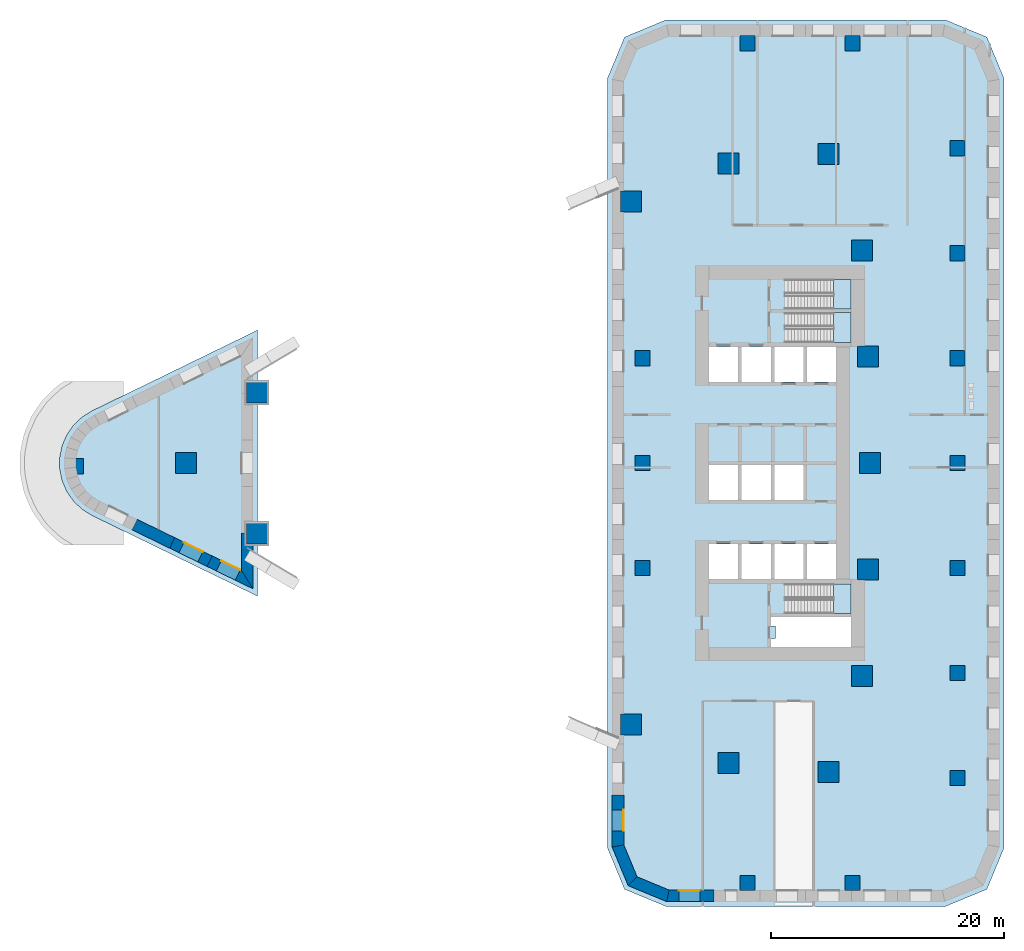
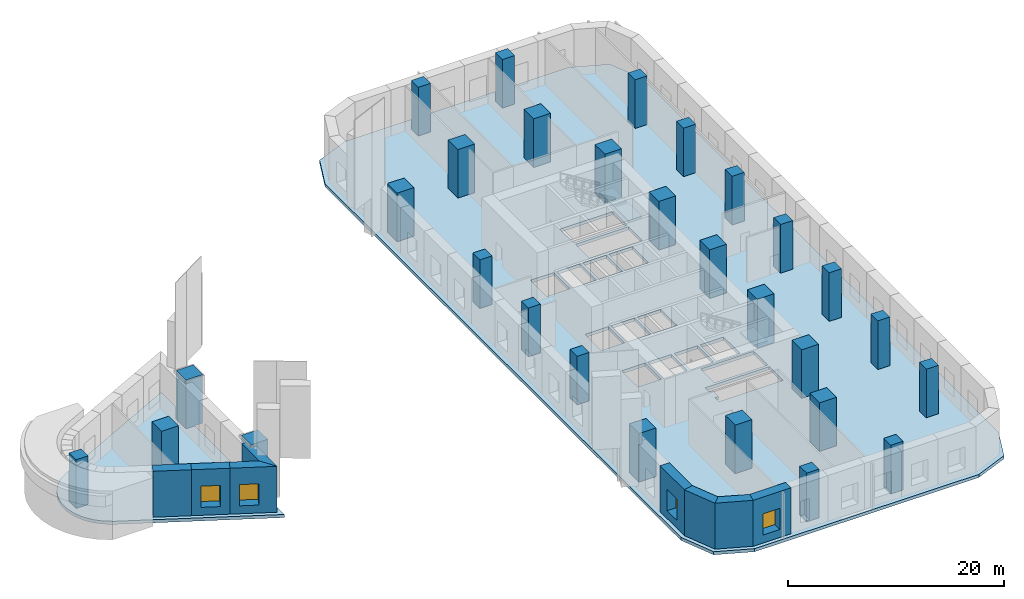
# One storey, part 1 of 13: 29 columns, 8 walls, 5 slabs, 4 windows, 5 openings, 3 elements without a shape of their own.
"""IFC4 building model written with IfcOpenShell, lengths in metres."""

from ifc_helpers import new_model, si_unit, direction, frame, frame_2d, origin, origin_2d, place, context, subcontext, project, spatial, polyline, rectangle, outline, extrude, material, layer, layer_set, material_profile, profile_set, type_object, element, fill, aggregate, save


model = new_model("IFC4")

# Units and contexts
model_context = context("Model", 3, precision=1e-05, world=origin(), true_north=direction((0.0, 1.0)))
body_context = subcontext(model_context, "Body", "Model", "MODEL_VIEW")
ifc_project = project(units=[si_unit("LENGTHUNIT", "METRE"), si_unit("AREAUNIT", "SQUARE_METRE"), si_unit("VOLUMEUNIT", "CUBIC_METRE"), si_unit("PLANEANGLEUNIT", "RADIAN"), si_unit("MASSUNIT", "GRAM", prefix="KILO")], contexts=[model_context])

# Site, building, storey
site_placement = place(None, origin())
site = spatial("IfcSite", under=ifc_project, at=site_placement, CompositionType="ELEMENT")
building_placement = place(site_placement, origin())
building = spatial("IfcBuilding", under=site, at=building_placement, Name="Ostrand Prow Hotel Tower", CompositionType="ELEMENT")
storey_placement = place(building_placement, frame((0.0, 0.0, 13.5)))
storey = spatial("IfcBuildingStorey", under=building, at=storey_placement, Name="L02", CompositionType="ELEMENT", Elevation=13.5)

# Columns
ifc_material_1 = material(Name="Concrete C60/75", Category="concrete")
ifc_material_profile_1 = material_profile(ifc_material_1, rectangle(XDim=1.300048828125, YDim=1.300048828125, at=origin_2d()), Name="RC 1300x1300")
ifc_profile_set_1 = profile_set([ifc_material_profile_1], Name="Concrete C60/75")
column_type_1 = type_object("IfcColumnType", Name="Interior column 1300x1300 C60/75", PredefinedType="COLUMN", material=ifc_profile_set_1)
for number, where, z_axis, x_axis, name in (
    (1, (-3.573974609375, -0.262939453125, 0.0), (0.0, 0.0, 1.0), (1.0, 0.0, 0.0), "Interior column W4S0"),
    (2, (45.0, -9.0, 0.0), (0.0, 0.0, 1.0), (1.0, 0.0, 0.0), "Interior column 45S9"),
    (3, (45.0, 0.0, 0.0), (0.0, 0.0, 1.0), (1.0, 0.0, 0.0), "Interior column 45C0"),
    (4, (45.0, 9.0, 0.0), (0.0, 0.0, 1.0), (1.0, 0.0, 0.0), "Interior column 45N9"),
    (5, (54.0, -36.0, 0.0), (0.0, 0.0, 1.0), (1.0, 0.0, 0.0), "Interior column 54S36"),
    (6, (54.0, 36.0, 0.0), (0.0, 0.0, 1.0), (1.0, 0.0, 0.0), "Interior column 54N36"),
    (7, (63.0, -36.0, 0.0), (0.0, 0.0, 1.0), (1.0, 0.0, 0.0), "Interior column 63S36"),
    (8, (63.0, 36.0, 0.0), (0.0, 0.0, 1.0), (1.0, 0.0, 0.0), "Interior column 63N36"),
    (9, (72.0, -27.0, 0.0), (0.0, 0.0, 1.0), (1.0, 0.0, 0.0), "Interior column 72S27"),
    (10, (72.0, -18.0, 0.0), (0.0, 0.0, 1.0), (1.0, 0.0, 0.0), "Interior column 72S18"),
    (11, (72.0, -9.0, 0.0), (0.0, 0.0, 1.0), (1.0, 0.0, 0.0), "Interior column 72S9"),
    (12, (72.0, 0.0, 0.0), (0.0, 0.0, 1.0), (1.0, 0.0, 0.0), "Interior column 72C0"),
    (13, (72.0, 9.0, 0.0), (0.0, 0.0, 1.0), (1.0, 0.0, 0.0), "Interior column 72N9"),
    (14, (72.0, 18.0, 0.0), (0.0, 0.0, 1.0), (1.0, 0.0, 0.0), "Interior column 72N18"),
    (15, (72.0, 27.0, 0.0), (0.0, 0.0, 1.0), (1.0, 0.0, 0.0), "Interior column 72N27"),
):
    element("IfcColumn", number, at=place(storey_placement, frame(where, z_axis=z_axis, x_axis=x_axis)), inside=storey, type_object=column_type_1, Name=name, PredefinedType="COLUMN", context=body_context, shape_type="SweptSolid", body=[
        extrude(rectangle(XDim=1.300048828125, YDim=1.300048828125, at=origin_2d()), origin(), (0.0, 0.0, 1.0), 5.5),
    ])
ifc_material_2 = material(Name="Concrete C60/75", Category="concrete")
ifc_material_profile_2 = material_profile(ifc_material_2, rectangle(XDim=1.800048828125, YDim=1.800048828125, at=origin_2d()), Name="RC 1800x1800")
ifc_profile_set_2 = profile_set([ifc_material_profile_2], Name="Concrete C60/75")
column_type_2 = type_object("IfcColumnType", Name="Stone-faced mega column 1800x1800 C60/75", PredefinedType="COLUMN", material=ifc_profile_set_2)
for number, where, z_axis, x_axis, name in (
    (16, (5.848388671875, 0.0, 0.0), (0.0, 0.0, 1.0), (1.0, 0.0, 0.0), "Mega column P"),
    (17, (11.926513671875, -6.0419921875, 0.0), (0.0, 0.0, 1.0), (1.0, 0.0, 0.0), "Mega column S1"),
    (18, (43.997802734375, -22.427978515625, 0.0), (0.0, 0.0, 1.0), (1.0, 0.0, 0.0), "Mega column S5"),
    (19, (52.3916015625, -25.710205078125, 0.0), (0.0, 0.0, 1.0), (1.0, 0.0, 0.0), "Mega column S6"),
    (20, (60.966064453125, -26.49853515625, 0.0), (0.0, 0.0, 1.0), (1.0, 0.0, 0.0), "Mega column SE"),
    (21, (63.8134765625, -18.248779296875, 0.0), (0.0, 0.0, 1.0), (1.0, 0.0, 0.0), "Mega column B1"),
    (22, (64.328369140625, -9.130859375, 0.0), (0.0, 0.0, 1.0), (1.0, 0.0, 0.0), "Mega column B2"),
    (23, (64.5, 0.0, 0.0), (0.0, 0.0, 1.0), (1.0, 0.0, 0.0), "Mega column B3"),
    (24, (64.328369140625, 9.130859375, 0.0), (0.0, 0.0, 1.0), (1.0, 0.0, 0.0), "Mega column B4"),
    (25, (63.8134765625, 18.248779296875, 0.0), (0.0, 0.0, 1.0), (1.0, 0.0, 0.0), "Mega column B5"),
    (26, (60.966064453125, 26.49853515625, 0.0), (0.0, 0.0, 1.0), (1.0, 0.0, 0.0), "Mega column NE"),
    (27, (52.3916015625, 25.710205078125, 0.0), (0.0, 0.0, 1.0), (1.0, 0.0, 0.0), "Mega column N1"),
    (28, (43.997802734375, 22.427978515625, 0.0), (0.0, 0.0, 1.0), (1.0, 0.0, 0.0), "Mega column N2"),
    (29, (11.926513671875, 6.0419921875, 0.0), (0.0, 0.0, 1.0), (1.0, 0.0, 0.0), "Mega column N6"),
):
    element("IfcColumn", number, at=place(storey_placement, frame(where, z_axis=z_axis, x_axis=x_axis)), inside=storey, type_object=column_type_2, Name=name, PredefinedType="COLUMN", context=body_context, shape_type="SweptSolid", body=[
        extrude(rectangle(XDim=1.800048828125, YDim=1.800048828125, at=origin_2d()), origin(), (0.0, 0.0, 1.0), 5.5),
    ])

# Slab
ifc_material_3 = material(Name="Concrete C40/50", Category="concrete")
ifc_layer_1 = layer(ifc_material_3, 0.35009765625)
ifc_layer_set_1 = layer_set([ifc_layer_1], Name="Concrete C40/50")
slab_type_1 = type_object("IfcSlabType", Name="PT flat plate 350 C40/50", PredefinedType="FLOOR", material=ifc_layer_set_1)
slab_1_placement = place(storey_placement, frame((0.0, 0.0, -0.35009765625)))
element("IfcSlab", 30, at=slab_1_placement, inside=storey, type_object=slab_type_1, Name="Floor slab L02-1", PredefinedType="FLOOR", context=body_context, shape_type="SweptSolid", body=[
    extrude(outline(polyline([(12.0, -11.41259765625), (-2.19091796875, -4.494384765625), (-3.052490234375, -3.9599609375), (-3.788818359375, -3.2626953125), (-4.368896484375, -2.431396484375), (-4.769775390625, -1.5), (-4.97412109375, -0.5068359375), (-4.97412109375, 0.5068359375), (-4.769775390625, 1.5), (-4.368896484375, 2.431396484375), (-3.788818359375, 3.2626953125), (-3.052490234375, 3.9599609375), (-2.19091796875, 4.494384765625), (12.0, 11.41259765625), (12.0, -11.41259765625)])), origin(), (0.0, 0.0, 1.0), 0.35009765625),
])

# Slab, opening
slab_2_placement = place(storey_placement, frame((0.0, 0.0, -0.35009765625)))
slab_2 = element("IfcSlab", 31, at=slab_2_placement, inside=storey, type_object=slab_type_1, Name="Floor slab L02-2", PredefinedType="FLOOR", context=body_context, shape_type="SweptSolid", body=[
    extrude(outline(polyline([(47.0, -38.0), (43.464599609375, -36.535400390625), (42.0, -33.0), (42.0, 33.0), (43.464599609375, 36.535400390625), (47.0, 38.0), (71.0, 38.0), (74.535400390625, 36.535400390625), (76.0, 33.0), (76.0, -33.0), (74.535400390625, -36.535400390625), (71.0, -38.0), (47.0, -38.0)]), holes=[polyline([(50.699951171875, 6.949951171875), (53.199951171875, 6.949951171875), (53.199951171875, 9.949951171875), (50.699951171875, 9.949951171875), (50.699951171875, 6.949951171875)]), polyline([(53.5, 6.949951171875), (56.0, 6.949951171875), (56.0, 9.949951171875), (53.5, 9.949951171875), (53.5, 6.949951171875)]), polyline([(56.300048828125, 6.949951171875), (58.800048828125, 6.949951171875), (58.800048828125, 9.949951171875), (56.300048828125, 9.949951171875), (56.300048828125, 6.949951171875)]), polyline([(59.10009765625, 6.949951171875), (61.60009765625, 6.949951171875), (61.60009765625, 9.949951171875), (59.10009765625, 9.949951171875), (59.10009765625, 6.949951171875)]), polyline([(50.699951171875, -3.14990234375), (53.199951171875, -3.14990234375), (53.199951171875, -0.14990234375), (50.699951171875, -0.14990234375), (50.699951171875, -3.14990234375)]), polyline([(53.5, -3.14990234375), (56.0, -3.14990234375), (56.0, -0.14990234375), (53.5, -0.14990234375), (53.5, -3.14990234375)]), polyline([(56.300048828125, -3.14990234375), (58.800048828125, -3.14990234375), (58.800048828125, -0.14990234375), (56.300048828125, -0.14990234375), (56.300048828125, -3.14990234375)]), polyline([(50.699951171875, -9.949951171875), (53.199951171875, -9.949951171875), (53.199951171875, -6.949951171875), (50.699951171875, -6.949951171875), (50.699951171875, -9.949951171875)]), polyline([(53.5, -9.949951171875), (56.0, -9.949951171875), (56.0, -6.949951171875), (53.5, -6.949951171875), (53.5, -9.949951171875)]), polyline([(56.300048828125, -9.949951171875), (58.800048828125, -9.949951171875), (58.800048828125, -6.949951171875), (56.300048828125, -6.949951171875), (56.300048828125, -9.949951171875)]), polyline([(59.10009765625, -9.949951171875), (61.60009765625, -9.949951171875), (61.60009765625, -6.949951171875), (59.10009765625, -6.949951171875), (59.10009765625, -9.949951171875)]), polyline([(57.200927734375, 10.35107421875), (57.200927734375, 12.89892578125), (62.87890625, 12.89892578125), (62.87890625, 10.35107421875), (57.200927734375, 10.35107421875)]), polyline([(57.200927734375, 13.200927734375), (57.200927734375, 15.7490234375), (62.87890625, 15.7490234375), (62.87890625, 13.200927734375), (57.200927734375, 13.200927734375)]), polyline([(57.200927734375, -12.89892578125), (57.200927734375, -10.35107421875), (62.87890625, -10.35107421875), (62.87890625, -12.89892578125), (57.200927734375, -12.89892578125)]), polyline([(56.0, -13.199951171875), (62.8798828125, -13.199951171875), (62.8798828125, -15.75), (56.0, -15.75), (56.0, -15.050048828125), (56.39990234375, -15.050048828125), (56.39990234375, -13.949951171875), (56.0, -13.949951171875), (56.0, -13.199951171875)])]), origin(), (0.0, 0.0, 1.0), 0.35009765625),
])
opening_1_placement = place(slab_2_placement, origin())
element("IfcOpeningElement", 32, at=opening_1_placement, cuts=slab_2, Name="Shaft opening 1", PredefinedType="OPENING", context=body_context, shape_type="SweptSolid", body=[
    extrude(outline(polyline([(56.0, -13.199951171875), (62.8798828125, -13.199951171875), (62.8798828125, -15.75), (56.0, -15.75), (56.0, -15.050048828125), (56.39990234375, -15.050048828125), (56.39990234375, -13.949951171875), (56.0, -13.949951171875), (56.0, -13.199951171875)])), origin(), (0.0, 0.0, 1.0), 0.35009765625),
])

# Stair, slab
ifc_material_4 = material(Name="Concrete C40/50", Category="concrete")
stair_type = type_object("IfcStairType", Name="Exit stair 1200 middle zone", PredefinedType="HALF_TURN_STAIR", material=ifc_material_4)
stair_1_placement = place(storey_placement, origin())
stair_1 = element("IfcStair", 33, at=stair_1_placement, inside=storey, type_object=stair_type, Name="L02 ST1B", PredefinedType="HALF_TURN_STAIR")
ifc_material_5 = material(Name="Concrete C40/50", Category="concrete")
ifc_layer_2 = layer(ifc_material_5, 0.199951171875)
ifc_layer_set_2 = layer_set([ifc_layer_2], Name="Concrete C40/50")
slab_type_2 = type_object("IfcSlabType", Name="Stair landing 200 concrete", PredefinedType="LANDING", material=ifc_layer_set_2)
slab_3_placement = place(storey_placement, frame((0.0, 0.0, 2.550048828125)))
slab_3 = element("IfcSlab", 34, at=slab_3_placement, type_object=slab_type_2, Name="ST1B landing 1", PredefinedType="LANDING", context=body_context, shape_type="SweptSolid", body=[
    extrude(outline(polyline([(61.39990234375, 10.35009765625), (62.8798828125, 10.35009765625), (62.8798828125, 12.89990234375), (61.39990234375, 12.89990234375), (61.39990234375, 10.35009765625)])), origin(), (0.0, 0.0, 1.0), 0.199951171875),
])
aggregate(stair_1, [slab_3])

stair_2_placement = place(storey_placement, origin())
stair_2 = element("IfcStair", 35, at=stair_2_placement, inside=storey, type_object=stair_type, Name="L02 ST3B", PredefinedType="HALF_TURN_STAIR")
slab_4_placement = place(storey_placement, frame((0.0, 0.0, 2.550048828125)))
slab_4 = element("IfcSlab", 36, at=slab_4_placement, type_object=slab_type_2, Name="ST3B landing 1", PredefinedType="LANDING", context=body_context, shape_type="SweptSolid", body=[
    extrude(outline(polyline([(61.39990234375, 13.199951171875), (62.8798828125, 13.199951171875), (62.8798828125, 15.75), (61.39990234375, 15.75), (61.39990234375, 13.199951171875)])), origin(), (0.0, 0.0, 1.0), 0.199951171875),
])
aggregate(stair_2, [slab_4])

stair_3_placement = place(storey_placement, origin())
stair_3 = element("IfcStair", 37, at=stair_3_placement, inside=storey, type_object=stair_type, Name="L02 ST2B", PredefinedType="HALF_TURN_STAIR")
slab_5_placement = place(storey_placement, frame((0.0, 0.0, 2.550048828125)))
slab_5 = element("IfcSlab", 38, at=slab_5_placement, type_object=slab_type_2, Name="ST2B landing 1", PredefinedType="LANDING", context=body_context, shape_type="SweptSolid", body=[
    extrude(outline(polyline([(61.39990234375, -12.89990234375), (62.8798828125, -12.89990234375), (62.8798828125, -10.35009765625), (61.39990234375, -10.35009765625), (61.39990234375, -12.89990234375)])), origin(), (0.0, 0.0, 1.0), 0.199951171875),
])
aggregate(stair_3, [slab_5])

# Walls
ifc_material_6 = material(Name="Precast concrete C40/50", Category="concrete")
ifc_layer_3 = layer(ifc_material_6, 1.0)
ifc_layer_set_3 = layer_set([ifc_layer_3], Name="Precast concrete C40/50")
wall_type = type_object("IfcWallType", Name="Portal pier wall 1000 mm", PredefinedType="NOTDEFINED", material=ifc_layer_set_3)
wall_1_placement = place(storey_placement, frame((11.10009765625, -9.972412109375, 0.0), z_axis=(0.0, 0.0, 1.0), x_axis=(0.0, 1.0, 0.0)))
element("IfcWall", 39, at=wall_1_placement, inside=storey, type_object=wall_type, Name="Portal pier wall L02-PP000", PredefinedType="NOTDEFINED", context=body_context, shape_type="SweptSolid", body=[
    extrude(outline(polyline([(-0.800048828125, -0.5), (3.989013671875, -0.5), (3.989013671875, 0.5), (0.800048828125, 0.5), (-0.800048828125, -0.5)])), origin(), (0.0, 0.0, 1.0), 5.199951171875),
])
wall_2_placement = place(storey_placement, frame((1.45849609375, -5.272216796875, 0.0), z_axis=(0.0, 0.0, 1.0), x_axis=(0.898848496883, -0.438259488946, 0.0)))
element("IfcWall", 40, at=wall_2_placement, inside=storey, type_object=wall_type, Name="Portal pier wall L02-PP021", PredefinedType="NOTDEFINED", context=body_context, shape_type="SweptSolid", body=[
    extrude(outline(polyline([(0.0, -0.5), (3.5751953125, -0.5), (3.5751953125, 0.5), (0.0, 0.5), (0.0, -0.5)])), origin(), (0.0, 0.0, 1.0), 5.199951171875),
])

# Wall, opening, window
wall_3_placement = place(storey_placement, frame((4.672119140625, -6.839111328125, 0.0), z_axis=(0.0, 0.0, 1.0), x_axis=(0.898888507486, -0.43817741967, 0.0)))
wall_3 = element("IfcWall", 41, at=wall_3_placement, inside=storey, type_object=wall_type, Name="Portal pier wall L02-PP022", PredefinedType="NOTDEFINED", context=body_context, shape_type="SweptSolid", body=[
    extrude(outline(polyline([(0.0, -0.5), (3.575439453125, -0.5), (3.575439453125, 0.5), (0.0, 0.5), (0.0, -0.5)])), origin(), (0.0, 0.0, 1.0), 5.199951171875),
])
opening_2_placement = place(wall_3_placement, frame((0.8876953125, 0.0, 0.89990234375)))
opening_2 = element("IfcOpeningElement", 42, at=opening_2_placement, cuts=wall_3, Name="Opening WP2", PredefinedType="OPENING", context=body_context, shape_type="SweptSolid", body=[
    extrude(rectangle(XDim=1.800048828125, YDim=2.39990234375, at=frame_2d((0.89990234375, 1.199951171875))), frame((0.0, 0.510009765625, 0.0), z_axis=(0.0, -1.0, 0.0), x_axis=(1.0, 0.0, 0.0)), (0.0, 0.0, 1.0), 1.02001953125),
])
ifc_material_7 = material(Name="Insulated glass in bronze anodised frame", Category="glass")
window_type = type_object("IfcWindowType", Name="Portal window 1800x2400", PartitioningType="SINGLE_PANEL", PredefinedType="WINDOW", material=ifc_material_7)
window_1_placement = place(opening_2_placement, origin())
window_1 = element("IfcWindow", 43, at=window_1_placement, inside=storey, type_object=window_type, Name="Portal window L02-PP022", OverallHeight=2.39990234375, OverallWidth=1.800048828125, PartitioningType="SINGLE_PANEL", PredefinedType="WINDOW", context=body_context, shape_type="SweptSolid", body=[
    extrude(rectangle(XDim=1.800048828125, YDim=2.39990234375, at=frame_2d((0.89990234375, 1.199951171875))), frame((0.0, 0.5, 0.0), z_axis=(0.0, -1.0, 0.0), x_axis=(1.0, 0.0, 0.0)), (0.0, 0.0, 1.0), 0.06005859375),
])
fill(opening_2, window_1)

wall_4_placement = place(storey_placement, frame((7.885986328125, -8.40576171875, 0.0), z_axis=(0.0, 0.0, 1.0), x_axis=(0.89890161674, -0.438150525987, 0.0)))
wall_4 = element("IfcWall", 44, at=wall_4_placement, inside=storey, type_object=wall_type, Name="Portal pier wall L02-PP023", PredefinedType="NOTDEFINED", context=body_context, shape_type="SweptSolid", body=[
    extrude(outline(polyline([(0.0, -0.5), (4.375732421875, -0.5), (2.775634765625, 0.5), (0.0, 0.5), (0.0, -0.5)])), origin(), (0.0, 0.0, 1.0), 5.199951171875),
])
opening_3_placement = place(wall_4_placement, frame((0.8876953125, 0.0, 0.89990234375)))
opening_3 = element("IfcOpeningElement", 45, at=opening_3_placement, cuts=wall_4, Name="Opening WP2", PredefinedType="OPENING", context=body_context, shape_type="SweptSolid", body=[
    extrude(rectangle(XDim=1.800048828125, YDim=2.39990234375, at=frame_2d((0.89990234375, 1.199951171875))), frame((0.0, 0.510009765625, 0.0), z_axis=(0.0, -1.0, 0.0), x_axis=(1.0, 0.0, 0.0)), (0.0, 0.0, 1.0), 1.02001953125),
])
window_2_placement = place(opening_3_placement, origin())
window_2 = element("IfcWindow", 46, at=window_2_placement, inside=storey, type_object=window_type, Name="Portal window L02-PP023", OverallHeight=2.39990234375, OverallWidth=1.800048828125, PartitioningType="SINGLE_PANEL", PredefinedType="WINDOW", context=body_context, shape_type="SweptSolid", body=[
    extrude(rectangle(XDim=1.800048828125, YDim=2.39990234375, at=frame_2d((0.89990234375, 1.199951171875))), frame((0.0, 0.5, 0.0), z_axis=(0.0, -1.0, 0.0), x_axis=(1.0, 0.0, 0.0)), (0.0, 0.0, 1.0), 0.06005859375),
])
fill(opening_3, window_2)

wall_5_placement = place(storey_placement, frame((47.178955078125, -37.10009765625, 0.0), z_axis=(0.0, 0.0, 1.0), x_axis=(1.0, 0.0, 0.0)))
wall_5 = element("IfcWall", 47, at=wall_5_placement, inside=storey, type_object=wall_type, Name="Portal pier wall L02-PP100", PredefinedType="NOTDEFINED", context=body_context, shape_type="SweptSolid", body=[
    extrude(outline(polyline([(-0.099609375, -0.5), (3.9404296875, -0.5), (3.9404296875, 0.5), (0.099609375, 0.5), (-0.099609375, -0.5)])), origin(), (0.0, 0.0, 1.0), 5.199951171875),
])
opening_4_placement = place(wall_5_placement, frame((0.9501953125, 0.0, 0.89990234375)))
opening_4 = element("IfcOpeningElement", 48, at=opening_4_placement, cuts=wall_5, Name="Opening WP2", PredefinedType="OPENING", context=body_context, shape_type="SweptSolid", body=[
    extrude(rectangle(XDim=1.800048828125, YDim=2.39990234375, at=frame_2d((0.89990234375, 1.199951171875))), frame((0.0, 0.510009765625, 0.0), z_axis=(0.0, -1.0, 0.0), x_axis=(1.0, 0.0, 0.0)), (0.0, 0.0, 1.0), 1.02001953125),
])
window_3_placement = place(opening_4_placement, origin())
window_3 = element("IfcWindow", 49, at=window_3_placement, inside=storey, type_object=window_type, Name="Portal window L02-PP100", OverallHeight=2.39990234375, OverallWidth=1.800048828125, PartitioningType="SINGLE_PANEL", PredefinedType="WINDOW", context=body_context, shape_type="SweptSolid", body=[
    extrude(rectangle(XDim=1.800048828125, YDim=2.39990234375, at=frame_2d((0.89990234375, 1.199951171875))), frame((0.0, 0.5, 0.0), z_axis=(0.0, -1.0, 0.0), x_axis=(1.0, 0.0, 0.0)), (0.0, 0.0, 1.0), 0.06005859375),
])
fill(opening_4, window_3)

wall_6_placement = place(storey_placement, frame((42.89990234375, -28.44482421875, 0.0), z_axis=(0.0, 0.0, 1.0), x_axis=(0.0, -1.0, 0.0)))
wall_6 = element("IfcWall", 50, at=wall_6_placement, inside=storey, type_object=wall_type, Name="Portal pier wall L02-PP147", PredefinedType="NOTDEFINED", context=body_context, shape_type="SweptSolid", body=[
    extrude(outline(polyline([(0.0, -0.5), (4.475830078125, -0.5), (4.276611328125, 0.5), (0.0, 0.5), (0.0, -0.5)])), origin(), (0.0, 0.0, 1.0), 5.199951171875),
])
opening_5_placement = place(wall_6_placement, frame((1.2880859375, 0.0, 0.89990234375)))
opening_5 = element("IfcOpeningElement", 51, at=opening_5_placement, cuts=wall_6, Name="Opening WP2", PredefinedType="OPENING", context=body_context, shape_type="SweptSolid", body=[
    extrude(rectangle(XDim=1.800048828125, YDim=2.39990234375, at=frame_2d((0.89990234375, 1.199951171875))), frame((0.0, 0.510009765625, 0.0), z_axis=(0.0, -1.0, 0.0), x_axis=(1.0, 0.0, 0.0)), (0.0, 0.0, 1.0), 1.02001953125),
])
window_4_placement = place(opening_5_placement, origin())
window_4 = element("IfcWindow", 52, at=window_4_placement, inside=storey, type_object=window_type, Name="Portal window L02-PP147", OverallHeight=2.39990234375, OverallWidth=1.800048828125, PartitioningType="SINGLE_PANEL", PredefinedType="WINDOW", context=body_context, shape_type="SweptSolid", body=[
    extrude(rectangle(XDim=1.800048828125, YDim=2.39990234375, at=frame_2d((0.89990234375, 1.199951171875))), frame((0.0, 0.5, 0.0), z_axis=(0.0, -1.0, 0.0), x_axis=(1.0, 0.0, 0.0)), (0.0, 0.0, 1.0), 0.06005859375),
])
fill(opening_5, window_4)

# Walls
wall_7_placement = place(storey_placement, frame((42.89990234375, -32.821044921875, 0.0), z_axis=(0.0, 0.0, 1.0), x_axis=(0.382724875529, -0.923862365102, 0.0)))
element("IfcWall", 53, at=wall_7_placement, inside=storey, type_object=wall_type, Name="Portal pier wall L02-PP148", PredefinedType="NOTDEFINED", context=body_context, shape_type="SweptSolid", body=[
    extrude(outline(polyline([(-0.099609375, -0.5), (3.48193359375, -0.5), (3.06787109375, 0.5), (0.099609375, 0.5), (-0.099609375, -0.5)])), origin(), (0.0, 0.0, 1.0), 5.199951171875),
])
wall_8_placement = place(storey_placement, frame((44.1533203125, -35.8466796875, 0.0), z_axis=(0.0, 0.0, 1.0), x_axis=(0.923862365102, -0.382724875529, 0.0)))
element("IfcWall", 54, at=wall_8_placement, inside=storey, type_object=wall_type, Name="Portal pier wall L02-PP149", PredefinedType="NOTDEFINED", context=body_context, shape_type="SweptSolid", body=[
    extrude(outline(polyline([(-0.20703125, -0.5), (3.37451171875, -0.5), (3.17529296875, 0.5), (0.20703125, 0.5), (-0.20703125, -0.5)])), origin(), (0.0, 0.0, 1.0), 5.199951171875),
])

save(model, "model.ifc")
